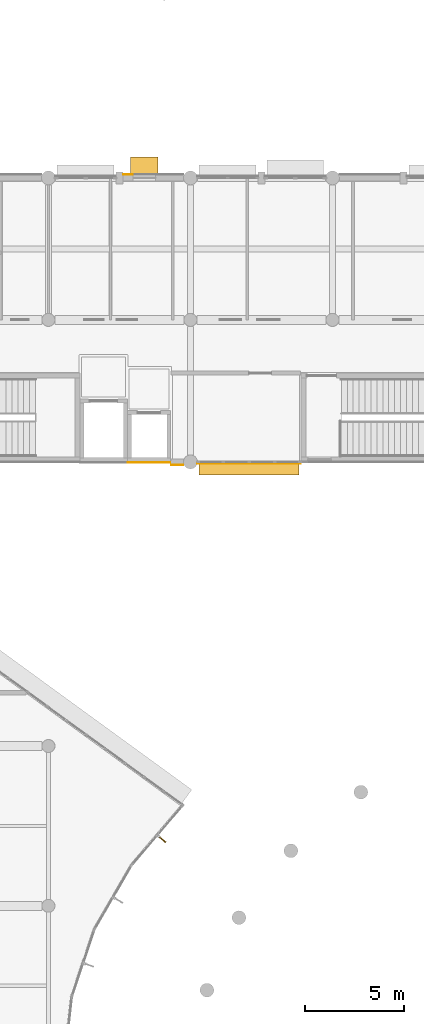
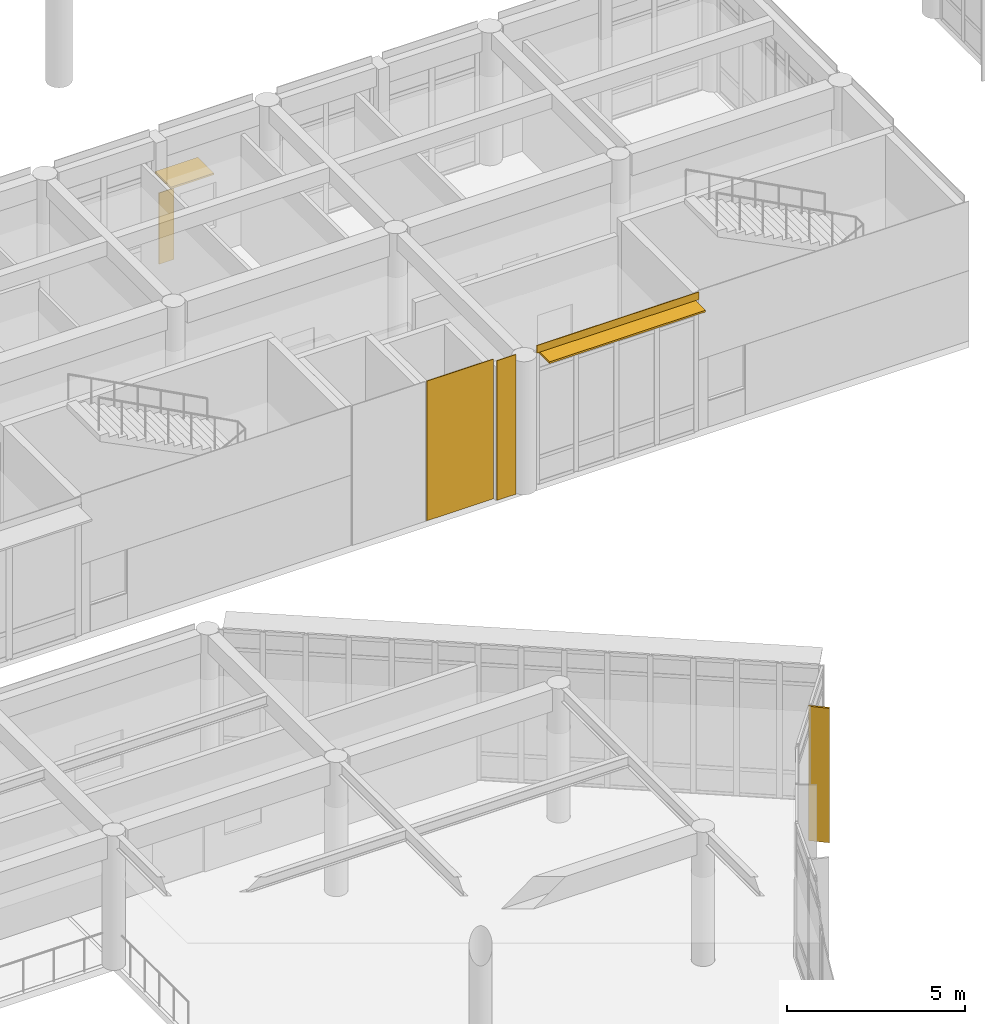
# One storey, part 82 of 92: 4 coverings, 3 shading devices.
"""IFC4 building model written with IfcOpenShell, lengths in metres."""

import ifcopenshell
import ifcopenshell.guid

model = None  # the IFC model being written
_history = None  # IfcOwnerHistory: only IFC2X3 demands one
_inside = {}  # id of a spatial element -> (the spatial element, [elements in it])
_under = {}  # id of a project, library or spatial element -> (it, [spatial elements below it])
_declared = {}  # id of a project -> (the project, [libraries it declares])
_typed = {}  # id of a type object -> (the type object, [elements of that type])
_made_of = {}  # id of a material, layer set ... -> (it, [elements and type objects made of it])


def new_model(schema):
    """Start an empty IFC model of exactly this schema.

    Asked for "IFC4X3", IfcOpenShell would pick the latest addendum, in which some entities
    have other attributes; the version numbers below select the first issue.
    IFC2X3 requires an IfcOwnerHistory on every rooted entity: one is made here for all.
    """
    global model, _history
    if schema == "IFC4X3":
        model = ifcopenshell.file(schema_version=(4, 3, 0, 0))
    else:
        model = ifcopenshell.file(schema=schema)
    _inside.clear()
    _under.clear()
    _declared.clear()
    _typed.clear()
    _made_of.clear()
    _history = None
    if model.schema == "IFC2X3":
        org = make("IfcOrganization", Name="unknown")
        user = make(
            "IfcPersonAndOrganization",
            ThePerson=make("IfcPerson", FamilyName="unknown"),
            TheOrganization=org,
        )
        app = make(
            "IfcApplication",
            ApplicationDeveloper=org,
            Version="unknown",
            ApplicationFullName="unknown",
            ApplicationIdentifier="unknown",
        )
        _history = make(
            "IfcOwnerHistory",
            OwningUser=user,
            OwningApplication=app,
            ChangeAction="ADDED",
            CreationDate=0,
        )
    return model


def make(cls, **values):
    """One entity of the class cls with the attributes given. An attribute that is None is left unset."""
    return model.create_entity(
        cls, **{name: value for name, value in values.items() if value is not None}
    )


def rooted(cls, **values):
    """An entity with a GlobalId (a new one), such as an element, a storey or a relation."""
    return make(cls, GlobalId=ifcopenshell.guid.new(), OwnerHistory=_history, **values)


def si_unit(unit_type, name, prefix=None):
    """IfcSIUnit, for example si_unit("LENGTHUNIT", "METRE", prefix="MILLI")."""
    return make("IfcSIUnit", UnitType=unit_type, Prefix=prefix, Name=name)


def assignment(units):
    """IfcUnitAssignment: the units of a project."""
    return None if units is None else make("IfcUnitAssignment", Units=units)


def point(xyz):
    """IfcCartesianPoint."""
    return None if xyz is None else make("IfcCartesianPoint", Coordinates=xyz)


def direction(xyz):
    """IfcDirection."""
    return None if xyz is None else make("IfcDirection", DirectionRatios=xyz)


def frame(location, z_axis=None, x_axis=None):
    """IfcAxis2Placement3D, a coordinate frame: its origin and axes. An axis left out is left unset."""
    return make(
        "IfcAxis2Placement3D",
        Location=point(location),
        Axis=direction(z_axis),
        RefDirection=direction(x_axis),
    )


def frame_2d(location, x_axis=None):
    """IfcAxis2Placement2D, a coordinate frame in the plane: its origin and x axis."""
    return make(
        "IfcAxis2Placement2D", Location=point(location), RefDirection=direction(x_axis)
    )


def origin():
    """The frame at (0, 0, 0) with its axes left unset."""
    return frame((0.0, 0.0, 0.0))


def origin_2d():
    """The frame at (0, 0) in the plane with its x axis left unset."""
    return frame_2d((0.0, 0.0))


def place(relative_to, where):
    """IfcLocalPlacement: puts the frame where relative to a parent placement (None: the world)."""
    return make(
        "IfcLocalPlacement", PlacementRelTo=relative_to, RelativePlacement=where
    )


def context(
    kind, dimensions, precision=None, world=None, true_north=None, identifier=None
):
    """IfcGeometricRepresentationContext, for example the 3D "Model" context."""
    return make(
        "IfcGeometricRepresentationContext",
        ContextIdentifier=identifier,
        ContextType=kind,
        CoordinateSpaceDimension=dimensions,
        Precision=precision,
        WorldCoordinateSystem=world,
        TrueNorth=true_north,
    )


def subcontext(parent, identifier, kind, view, scale=None):
    """IfcGeometricRepresentationSubContext, for example "Body" below "Model"."""
    return make(
        "IfcGeometricRepresentationSubContext",
        ContextIdentifier=identifier,
        ContextType=kind,
        ParentContext=parent,
        TargetScale=scale,
        TargetView=view,
    )


def project(units=None, contexts=None):
    """IfcProject with its units and contexts."""
    return rooted(
        "IfcProject",
        Name="project",
        RepresentationContexts=contexts,
        UnitsInContext=assignment(units),
    )


def spatial(cls, under=None, at=None, **own):
    """A site, building, storey or space (cls), placed at a placement, below another one or the project."""
    s = rooted(cls, ObjectPlacement=at, **own)
    if under is not None:
        _under.setdefault(under.id(), (under, []))[1].append(s)
    return s


def profile(cls, at=None, kind="AREA", **sizes):
    """A parametric profile (cls). Its sizes go by their IFC names, for example OverallWidth=200.0."""
    return make(cls, ProfileType=kind, Position=at, **sizes)


def rectangle(**sizes):
    """IfcRectangleProfileDef."""
    return profile("IfcRectangleProfileDef", **sizes)


def extrude(swept, where, along, depth):
    """IfcExtrudedAreaSolid: the profile swept, set in the frame where, extruded along a direction by depth."""
    return make(
        "IfcExtrudedAreaSolid",
        SweptArea=swept,
        Position=where,
        ExtrudedDirection=direction(along),
        Depth=depth,
    )


def shape(context_of_items, identifier, shape_type, items):
    """IfcShapeRepresentation: the items that make up one representation, for example the "Body"."""
    return make(
        "IfcShapeRepresentation",
        ContextOfItems=context_of_items,
        RepresentationIdentifier=identifier,
        RepresentationType=shape_type,
        Items=items,
    )


def material(Name=None, Category=None):
    """IfcMaterial."""
    return make("IfcMaterial", Name=Name, Category=Category)


def layer(
    of_material, thickness, ventilated=None, Name=None, Category=None, Priority=None
):
    """IfcMaterialLayer: one layer of a wall or slab, of a material (None: an air gap)."""
    return make(
        "IfcMaterialLayer",
        Material=of_material,
        LayerThickness=thickness,
        IsVentilated=ventilated,
        Name=Name,
        Category=Category,
        Priority=Priority,
    )


def layer_set(layers, Name=None):
    """IfcMaterialLayerSet."""
    return make("IfcMaterialLayerSet", MaterialLayers=layers, LayerSetName=Name)


def made_of(thing, what):
    """Note that an element or type object is made of a material, layer set ...; save() writes the relation."""
    if what is not None:
        _made_of.setdefault(what.id(), (what, []))[1].append(thing)
    return thing


def type_object(cls, material=None, **own):
    """A type object (cls), such as IfcWallType, which elements share."""
    return made_of(rooted(cls, **own), material)


def element(
    cls,
    number,
    at=None,
    inside=None,
    cuts=None,
    type_object=None,
    material=None,
    context=None,
    identifier="Body",
    shape_type=None,
    held_by="IfcProductDefinitionShape",
    body=None,
    shapes=None,
    **own,
):
    """One element of the class cls, such as IfcWall. Its Tag is "e" and its number.

    at: its placement. inside: the storey or other place that contains it. cuts: it is an
    opening in that element (IfcRelVoidsElement). A single representation is given by context,
    identifier, shape_type and body (its items); several are given by shapes. held_by: the class
    of the entity that holds the representations. save() writes the other relations.
    """
    e = rooted(cls, Tag="e%d" % number, ObjectPlacement=at, **own)
    if body is not None:
        shapes = [shape(context, identifier, shape_type, body)]
    if shapes is not None:
        e.Representation = make(held_by, Representations=shapes)
    if inside is not None:
        _inside.setdefault(inside.id(), (inside, []))[1].append(e)
    if cuts is not None:
        rooted(
            "IfcRelVoidsElement", RelatingBuildingElement=cuts, RelatedOpeningElement=e
        )
    if type_object is not None:
        _typed.setdefault(type_object.id(), (type_object, []))[1].append(e)
    return made_of(e, material)


def aggregate(whole, parts):
    """IfcRelAggregates: a whole, such as a stair, and the parts it consists of."""
    return rooted("IfcRelAggregates", RelatingObject=whole, RelatedObjects=parts)


def save(model, path):
    """Write the relations noted so far, then the file.

    IfcRelAggregates (storeys below a building ...), IfcRelContainedInSpatialStructure (elements
    in a storey), IfcRelDefinesByType, IfcRelAssociatesMaterial and IfcRelDeclares: one each for
    every whole, place, type object, material and project.
    """
    for whole, parts in _under.values():
        aggregate(whole, parts)
    for where, things in _inside.values():
        rooted(
            "IfcRelContainedInSpatialStructure",
            RelatedElements=things,
            RelatingStructure=where,
        )
    for kind, things in _typed.values():
        rooted("IfcRelDefinesByType", RelatedObjects=things, RelatingType=kind)
    for what, things in _made_of.values():
        rooted("IfcRelAssociatesMaterial", RelatedObjects=things, RelatingMaterial=what)
    for by, libraries in _declared.values():
        rooted("IfcRelDeclares", RelatingContext=by, RelatedDefinitions=libraries)
    model.write(path)


model = new_model("IFC4")

# Units and contexts
model_context = context("Model", 3, precision=1e-05, world=origin(), true_north=direction((0.0, 1.0)))
body_context = subcontext(model_context, "Body", "Model", "MODEL_VIEW")
ifc_project = project(units=[si_unit("LENGTHUNIT", "METRE"), si_unit("AREAUNIT", "SQUARE_METRE"), si_unit("VOLUMEUNIT", "CUBIC_METRE"), si_unit("PLANEANGLEUNIT", "RADIAN"), si_unit("MASSUNIT", "GRAM", prefix="KILO")], contexts=[model_context])

# Site, building, storey
site_placement = place(None, origin())
site = spatial("IfcSite", under=ifc_project, at=site_placement, CompositionType="ELEMENT")
building_placement = place(site_placement, origin())
building = spatial("IfcBuilding", under=site, at=building_placement, Name="Namkhue Oval Health Centre", CompositionType="ELEMENT")
storey_placement = place(building_placement, frame((0.0, 0.0, 4.800048828125)))
storey = spatial("IfcBuildingStorey", under=building, at=storey_placement, Name="L01", CompositionType="ELEMENT", Elevation=4.800048828125)

# Shading devices
ifc_material_1 = material(Name="Anodised aluminium EN AW-6063 T6", Category="aluminium")
ifc_layer_1 = layer(ifc_material_1, 0.06005859375)
ifc_layer_set_1 = layer_set([ifc_layer_1], Name="Anodised aluminium EN AW-6063 T6")
shading_device_type_1 = type_object("IfcShadingDeviceType", Name="MONSOON SUN LOUVRE 900", PredefinedType="JALOUSIE", material=ifc_layer_set_1)
shading_device_1_placement = place(storey_placement, frame((69.6630859375, 105.0, 2.4599609375), z_axis=(0.0, 0.0, 1.0), x_axis=(-1.0, 0.0, 0.0)))
element("IfcShadingDevice", 1, at=shading_device_1_placement, inside=storey, type_object=shading_device_type_1, Name="Volume V2 L01 Window Monsoon Louvre 68", PredefinedType="JALOUSIE", context=body_context, shape_type="SweptSolid", body=[
    extrude(rectangle(XDim=1.389892578125, YDim=0.89990234375, at=origin_2d()), origin(), (0.0, 0.0, 1.0), 0.06005859375),
])
ifc_layer_2 = layer(ifc_material_1, 0.050048828125)
ifc_layer_set_2 = layer_set([ifc_layer_2], Name="Anodised aluminium EN AW-6063 T6")
shading_device_type_2 = type_object("IfcShadingDeviceType", Name="STORM SHUTTER LOUVRE 650", PredefinedType="SHUTTER", material=ifc_layer_set_2)
shading_device_2_placement = place(storey_placement, frame((74.971435546875, 89.675048828125, 4.48486328125), z_axis=(0.0, 0.0, 1.0), x_axis=(1.0, 0.0, 0.0)))
element("IfcShadingDevice", 2, at=shading_device_2_placement, inside=storey, type_object=shading_device_type_2, Name="Volume V2 L01 Horizontal Monsoon Sun Louvre 63", PredefinedType="SHUTTER", context=body_context, shape_type="SweptSolid", body=[
    extrude(rectangle(XDim=5.052978515625, YDim=0.64990234375, at=origin_2d()), origin(), (0.0, 0.0, 1.0), 0.06005859375),
])
shading_device_type_3 = type_object("IfcShadingDeviceType", Name="VERTICAL SOLAR FIN 600", PredefinedType="USERDEFINED", material=ifc_material_1)
shading_device_3_placement = place(storey_placement, frame((70.521484375, 70.909912109375, 0.0), z_axis=(0.0, 0.0, 1.0), x_axis=(0.760972426325, -0.648784221735, 0.0)))
element("IfcShadingDevice", 3, at=shading_device_3_placement, inside=storey, type_object=shading_device_type_3, Name="Volume V1 L01 Extruded Aluminium Solar Fin 35", ObjectType="SOLAR FIN", PredefinedType="USERDEFINED", context=body_context, shape_type="SweptSolid", body=[
    extrude(rectangle(XDim=0.60009765625, YDim=0.06005859375, at=origin_2d()), origin(), (0.0, 0.0, 1.0), 4.60009765625),
])

# Coverings
ifc_material_2 = material(Name="White glass-fibre reinforced concrete GRC rainscreen cladding", Category="concrete")
ifc_layer_3 = layer(ifc_material_2, 0.02490234375)
ifc_layer_set_3 = layer_set([ifc_layer_3], Name="White glass-fibre reinforced concrete GRC rainscreen cladding")
covering_type = type_object("IfcCoveringType", Name="WHITE GRC RAINSCREEN CLADDING 25", PredefinedType="CLADDING", material=ifc_layer_set_3)
covering_1_placement = place(storey_placement, frame((71.32861328125, 89.843017578125, 0.009765625), z_axis=(0.0, 0.0, 1.0), x_axis=(1.0, 0.0, 0.0)))
element("IfcCovering", 4, at=covering_1_placement, inside=storey, type_object=covering_type, Name="Volume V2 L01 Facade 28 White GRC Cladding 1", PredefinedType="CLADDING", context=body_context, shape_type="SweptSolid", body=[
    extrude(rectangle(XDim=0.613037109375, YDim=0.02490234375, at=origin_2d()), origin(), (0.0, 0.0, 1.0), 4.780029296875),
])
covering_2_placement = place(storey_placement, frame((74.971435546875, 89.91162109375, 4.5400390625), z_axis=(0.0, 0.0, 1.0), x_axis=(1.0, 0.0, 0.0)))
element("IfcCovering", 5, at=covering_2_placement, inside=storey, type_object=covering_type, Name="Volume V2 L01 Curtain Wall Spandrel Cladding 49", PredefinedType="CLADDING", context=body_context, shape_type="SweptSolid", body=[
    extrude(rectangle(XDim=5.242919921875, YDim=0.02490234375, at=origin_2d()), origin(), (0.0, 0.0, 1.0), 0.260009765625),
])
covering_3_placement = place(storey_placement, frame((68.83203125, 104.572021484375, 0.010009765625), z_axis=(0.0, 0.0, 1.0), x_axis=(-1.0, 0.0, 0.0)))
element("IfcCovering", 6, at=covering_3_placement, inside=storey, type_object=covering_type, Name="Volume V2 L01 Facade 31 White GRC Cladding 4", PredefinedType="CLADDING", context=body_context, shape_type="SweptSolid", body=[
    extrude(rectangle(XDim=0.48193359375, YDim=0.02490234375, at=origin_2d()), origin(), (0.0, 0.0, 1.0), 2.43994140625),
])
covering_4_placement = place(storey_placement, frame((69.89990234375, 89.962890625, 0.009765625), z_axis=(0.0, 0.0, 1.0), x_axis=(1.0, 0.0, 0.0)))
element("IfcCovering", 7, at=covering_4_placement, inside=storey, type_object=covering_type, Name="Lift LF-02 L01 S White GRC Cladding 1", PredefinedType="CLADDING", context=body_context, shape_type="SweptSolid", body=[
    extrude(rectangle(XDim=2.159912109375, YDim=0.02490234375, at=origin_2d()), origin(), (0.0, 0.0, 1.0), 4.780029296875),
])

save(model, "model.ifc")
